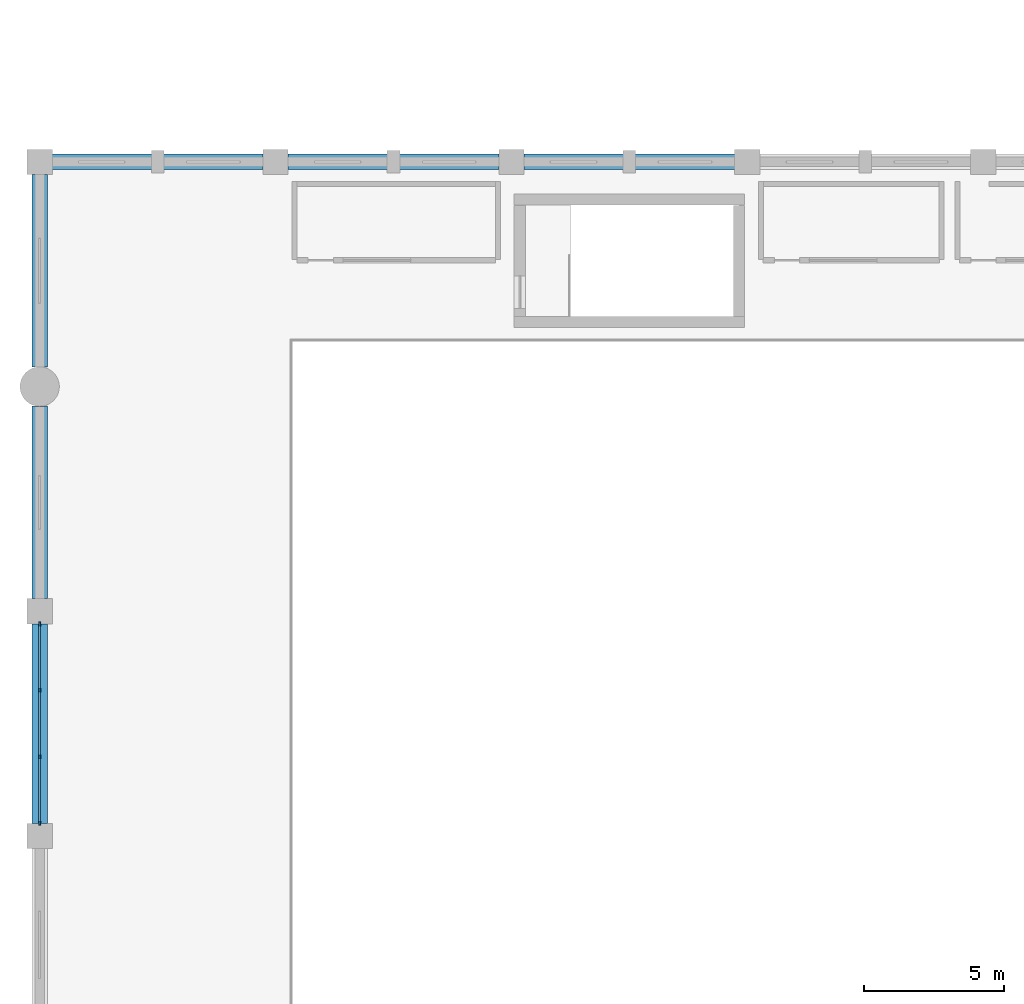
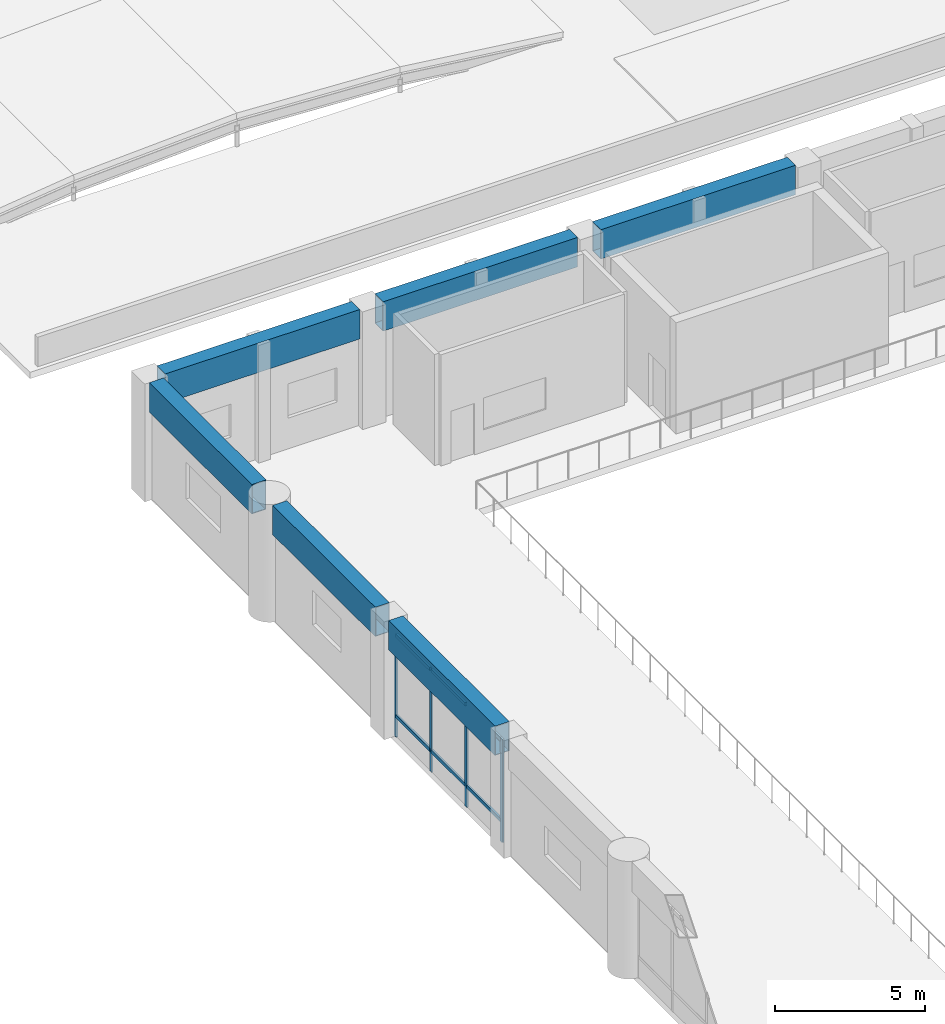
# One storey, part 14 of 76: 10 members, 6 beams, 1 element without a shape of its own.
"""IFC4 building model written with IfcOpenShell, lengths in metres."""

import ifcopenshell
import ifcopenshell.guid

model = None  # the IFC model being written
_history = None  # IfcOwnerHistory: only IFC2X3 demands one
_inside = {}  # id of a spatial element -> (the spatial element, [elements in it])
_under = {}  # id of a project, library or spatial element -> (it, [spatial elements below it])
_declared = {}  # id of a project -> (the project, [libraries it declares])
_typed = {}  # id of a type object -> (the type object, [elements of that type])
_made_of = {}  # id of a material, layer set ... -> (it, [elements and type objects made of it])


def new_model(schema):
    """Start an empty IFC model of exactly this schema.

    Asked for "IFC4X3", IfcOpenShell would pick the latest addendum, in which some entities
    have other attributes; the version numbers below select the first issue.
    IFC2X3 requires an IfcOwnerHistory on every rooted entity: one is made here for all.
    """
    global model, _history
    if schema == "IFC4X3":
        model = ifcopenshell.file(schema_version=(4, 3, 0, 0))
    else:
        model = ifcopenshell.file(schema=schema)
    _inside.clear()
    _under.clear()
    _declared.clear()
    _typed.clear()
    _made_of.clear()
    _history = None
    if model.schema == "IFC2X3":
        org = make("IfcOrganization", Name="unknown")
        user = make(
            "IfcPersonAndOrganization",
            ThePerson=make("IfcPerson", FamilyName="unknown"),
            TheOrganization=org,
        )
        app = make(
            "IfcApplication",
            ApplicationDeveloper=org,
            Version="unknown",
            ApplicationFullName="unknown",
            ApplicationIdentifier="unknown",
        )
        _history = make(
            "IfcOwnerHistory",
            OwningUser=user,
            OwningApplication=app,
            ChangeAction="ADDED",
            CreationDate=0,
        )
    return model


def make(cls, **values):
    """One entity of the class cls with the attributes given. An attribute that is None is left unset."""
    return model.create_entity(
        cls, **{name: value for name, value in values.items() if value is not None}
    )


def rooted(cls, **values):
    """An entity with a GlobalId (a new one), such as an element, a storey or a relation."""
    return make(cls, GlobalId=ifcopenshell.guid.new(), OwnerHistory=_history, **values)


def si_unit(unit_type, name, prefix=None):
    """IfcSIUnit, for example si_unit("LENGTHUNIT", "METRE", prefix="MILLI")."""
    return make("IfcSIUnit", UnitType=unit_type, Prefix=prefix, Name=name)


def assignment(units):
    """IfcUnitAssignment: the units of a project."""
    return None if units is None else make("IfcUnitAssignment", Units=units)


def point(xyz):
    """IfcCartesianPoint."""
    return None if xyz is None else make("IfcCartesianPoint", Coordinates=xyz)


def direction(xyz):
    """IfcDirection."""
    return None if xyz is None else make("IfcDirection", DirectionRatios=xyz)


def frame(location, z_axis=None, x_axis=None):
    """IfcAxis2Placement3D, a coordinate frame: its origin and axes. An axis left out is left unset."""
    return make(
        "IfcAxis2Placement3D",
        Location=point(location),
        Axis=direction(z_axis),
        RefDirection=direction(x_axis),
    )


def frame_2d(location, x_axis=None):
    """IfcAxis2Placement2D, a coordinate frame in the plane: its origin and x axis."""
    return make(
        "IfcAxis2Placement2D", Location=point(location), RefDirection=direction(x_axis)
    )


def origin():
    """The frame at (0, 0, 0) with its axes left unset."""
    return frame((0.0, 0.0, 0.0))


def origin_2d():
    """The frame at (0, 0) in the plane with its x axis left unset."""
    return frame_2d((0.0, 0.0))


def place(relative_to, where):
    """IfcLocalPlacement: puts the frame where relative to a parent placement (None: the world)."""
    return make(
        "IfcLocalPlacement", PlacementRelTo=relative_to, RelativePlacement=where
    )


def context(
    kind, dimensions, precision=None, world=None, true_north=None, identifier=None
):
    """IfcGeometricRepresentationContext, for example the 3D "Model" context."""
    return make(
        "IfcGeometricRepresentationContext",
        ContextIdentifier=identifier,
        ContextType=kind,
        CoordinateSpaceDimension=dimensions,
        Precision=precision,
        WorldCoordinateSystem=world,
        TrueNorth=true_north,
    )


def subcontext(parent, identifier, kind, view, scale=None):
    """IfcGeometricRepresentationSubContext, for example "Body" below "Model"."""
    return make(
        "IfcGeometricRepresentationSubContext",
        ContextIdentifier=identifier,
        ContextType=kind,
        ParentContext=parent,
        TargetScale=scale,
        TargetView=view,
    )


def project(units=None, contexts=None):
    """IfcProject with its units and contexts."""
    return rooted(
        "IfcProject",
        Name="project",
        RepresentationContexts=contexts,
        UnitsInContext=assignment(units),
    )


def spatial(cls, under=None, at=None, **own):
    """A site, building, storey or space (cls), placed at a placement, below another one or the project."""
    s = rooted(cls, ObjectPlacement=at, **own)
    if under is not None:
        _under.setdefault(under.id(), (under, []))[1].append(s)
    return s


def profile(cls, at=None, kind="AREA", **sizes):
    """A parametric profile (cls). Its sizes go by their IFC names, for example OverallWidth=200.0."""
    return make(cls, ProfileType=kind, Position=at, **sizes)


def rectangle(**sizes):
    """IfcRectangleProfileDef."""
    return profile("IfcRectangleProfileDef", **sizes)


def hollow_rectangle(**sizes):
    """IfcRectangleHollowProfileDef."""
    return profile("IfcRectangleHollowProfileDef", **sizes)


def extrude(swept, where, along, depth):
    """IfcExtrudedAreaSolid: the profile swept, set in the frame where, extruded along a direction by depth."""
    return make(
        "IfcExtrudedAreaSolid",
        SweptArea=swept,
        Position=where,
        ExtrudedDirection=direction(along),
        Depth=depth,
    )


def shape(context_of_items, identifier, shape_type, items):
    """IfcShapeRepresentation: the items that make up one representation, for example the "Body"."""
    return make(
        "IfcShapeRepresentation",
        ContextOfItems=context_of_items,
        RepresentationIdentifier=identifier,
        RepresentationType=shape_type,
        Items=items,
    )


def material(Name=None, Category=None):
    """IfcMaterial."""
    return make("IfcMaterial", Name=Name, Category=Category)


def layer(
    of_material, thickness, ventilated=None, Name=None, Category=None, Priority=None
):
    """IfcMaterialLayer: one layer of a wall or slab, of a material (None: an air gap)."""
    return make(
        "IfcMaterialLayer",
        Material=of_material,
        LayerThickness=thickness,
        IsVentilated=ventilated,
        Name=Name,
        Category=Category,
        Priority=Priority,
    )


def layer_set(layers, Name=None):
    """IfcMaterialLayerSet."""
    return make("IfcMaterialLayerSet", MaterialLayers=layers, LayerSetName=Name)


def material_profile(
    of_material, cross_section, Name=None, Category=None, Priority=None
):
    """IfcMaterialProfile: a cross section and its material."""
    return make(
        "IfcMaterialProfile",
        Name=Name,
        Material=of_material,
        Profile=cross_section,
        Priority=Priority,
        Category=Category,
    )


def profile_set(profiles, Name=None, composite=None):
    """IfcMaterialProfileSet."""
    return make(
        "IfcMaterialProfileSet",
        Name=Name,
        MaterialProfiles=profiles,
        CompositeProfile=composite,
    )


def made_of(thing, what):
    """Note that an element or type object is made of a material, layer set ...; save() writes the relation."""
    if what is not None:
        _made_of.setdefault(what.id(), (what, []))[1].append(thing)
    return thing


def type_object(cls, material=None, **own):
    """A type object (cls), such as IfcWallType, which elements share."""
    return made_of(rooted(cls, **own), material)


def element(
    cls,
    number,
    at=None,
    inside=None,
    cuts=None,
    type_object=None,
    material=None,
    context=None,
    identifier="Body",
    shape_type=None,
    held_by="IfcProductDefinitionShape",
    body=None,
    shapes=None,
    **own,
):
    """One element of the class cls, such as IfcWall. Its Tag is "e" and its number.

    at: its placement. inside: the storey or other place that contains it. cuts: it is an
    opening in that element (IfcRelVoidsElement). A single representation is given by context,
    identifier, shape_type and body (its items); several are given by shapes. held_by: the class
    of the entity that holds the representations. save() writes the other relations.
    """
    e = rooted(cls, Tag="e%d" % number, ObjectPlacement=at, **own)
    if body is not None:
        shapes = [shape(context, identifier, shape_type, body)]
    if shapes is not None:
        e.Representation = make(held_by, Representations=shapes)
    if inside is not None:
        _inside.setdefault(inside.id(), (inside, []))[1].append(e)
    if cuts is not None:
        rooted(
            "IfcRelVoidsElement", RelatingBuildingElement=cuts, RelatedOpeningElement=e
        )
    if type_object is not None:
        _typed.setdefault(type_object.id(), (type_object, []))[1].append(e)
    return made_of(e, material)


def aggregate(whole, parts):
    """IfcRelAggregates: a whole, such as a stair, and the parts it consists of."""
    return rooted("IfcRelAggregates", RelatingObject=whole, RelatedObjects=parts)


def save(model, path):
    """Write the relations noted so far, then the file.

    IfcRelAggregates (storeys below a building ...), IfcRelContainedInSpatialStructure (elements
    in a storey), IfcRelDefinesByType, IfcRelAssociatesMaterial and IfcRelDeclares: one each for
    every whole, place, type object, material and project.
    """
    for whole, parts in _under.values():
        aggregate(whole, parts)
    for where, things in _inside.values():
        rooted(
            "IfcRelContainedInSpatialStructure",
            RelatedElements=things,
            RelatingStructure=where,
        )
    for kind, things in _typed.values():
        rooted("IfcRelDefinesByType", RelatedObjects=things, RelatingType=kind)
    for what, things in _made_of.values():
        rooted("IfcRelAssociatesMaterial", RelatedObjects=things, RelatingMaterial=what)
    for by, libraries in _declared.values():
        rooted("IfcRelDeclares", RelatingContext=by, RelatedDefinitions=libraries)
    model.write(path)


model = new_model("IFC4")

# Units and contexts
model_context = context("Model", 3, precision=1e-05, world=origin(), true_north=direction((0.0, 1.0)))
body_context = subcontext(model_context, "Body", "Model", "MODEL_VIEW")
ifc_project = project(units=[si_unit("LENGTHUNIT", "METRE"), si_unit("AREAUNIT", "SQUARE_METRE"), si_unit("VOLUMEUNIT", "CUBIC_METRE"), si_unit("PLANEANGLEUNIT", "RADIAN"), si_unit("MASSUNIT", "GRAM", prefix="KILO")], contexts=[model_context])

# Site, building, storey
site_placement = place(None, origin())
site = spatial("IfcSite", under=ifc_project, at=site_placement, CompositionType="ELEMENT")
building_placement = place(site_placement, origin())
building = spatial("IfcBuilding", under=site, at=building_placement, Name="Naruveol Harbour Congress Hotel", CompositionType="ELEMENT")
storey_placement = place(building_placement, frame((0.0, 0.0, 11.39990234375)))
storey = spatial("IfcBuildingStorey", under=building, at=storey_placement, Name="L02", CompositionType="ELEMENT", Elevation=11.39990234375)

# Beams
ifc_material_1 = material(Name="Steel SN490", Category="steel")
ifc_material_profile_1 = material_profile(ifc_material_1, hollow_rectangle(XDim=0.550048828125, YDim=1.199951171875, WallThickness=0.028076171875, at=origin_2d()), Name="RHS-1200x550x28")
ifc_profile_set_1 = profile_set([ifc_material_profile_1], Name="Steel SN490")
beam_type = type_object("IfcBeamType", Name="STEEL RING BOX GIRDER 1200X550", PredefinedType="BEAM", material=ifc_profile_set_1)
for number, where, z_axis, x_axis, name in (
    (1, (0.446044921875, 56.0, 4.2001953125), (1.0, 0.0, 0.0), (0.0, 1.0, 0.0), "Congress ring girder RG1"),
    (2, (8.845947265625, 56.0, 4.2001953125), (1.0, 0.0, 0.0), (0.0, 1.0, 0.0), "Congress ring girder RG1"),
):
    element("IfcBeam", number, at=place(storey_placement, frame(where, z_axis=z_axis, x_axis=x_axis)), inside=storey, type_object=beam_type, Name=name, PredefinedType="BEAM", context=body_context, shape_type="SweptSolid", body=[
        extrude(hollow_rectangle(XDim=0.550048828125, YDim=1.199951171875, WallThickness=0.028076171875, at=origin_2d()), origin(), (0.0, 0.0, 1.0), 7.508056640625),
    ])
beam_1_placement = place(storey_placement, frame((17.24609375, 56.0, 4.2001953125), z_axis=(1.0, 0.0, 0.0), x_axis=(0.0, 1.0, 0.0)))
element("IfcBeam", 3, at=beam_1_placement, inside=storey, type_object=beam_type, Name="Congress ring girder RG1", PredefinedType="BEAM", context=body_context, shape_type="SweptSolid", body=[
    extrude(hollow_rectangle(XDim=0.550048828125, YDim=1.199951171875, WallThickness=0.028076171875, at=origin_2d()), origin(), (0.0, 0.0, 1.0), 7.5078125),
])
beam_2_placement = place(storey_placement, frame((0.0, 32.446044921875, 4.2001953125), z_axis=(0.0, 1.0, 0.0), x_axis=(-1.0, 0.0, 0.0)))
element("IfcBeam", 4, at=beam_2_placement, inside=storey, type_object=beam_type, Name="Congress ring girder RG1", PredefinedType="BEAM", context=body_context, shape_type="SweptSolid", body=[
    extrude(hollow_rectangle(XDim=0.550048828125, YDim=1.199951171875, WallThickness=0.028076171875, at=origin_2d()), origin(), (0.0, 0.0, 1.0), 7.10791015625),
])
for number, where, z_axis, x_axis, name in (
    (5, (0.0, 40.446044921875, 4.2001953125), (0.0, 1.0, 0.0), (-1.0, 0.0, 0.0), "Congress ring girder RG1"),
    (6, (0.0, 48.696044921875, 4.2001953125), (0.0, 1.0, 0.0), (-1.0, 0.0, 0.0), "Congress ring girder RG1"),
):
    element("IfcBeam", number, at=place(storey_placement, frame(where, z_axis=z_axis, x_axis=x_axis)), inside=storey, type_object=beam_type, Name=name, PredefinedType="BEAM", context=body_context, shape_type="SweptSolid", body=[
        extrude(hollow_rectangle(XDim=0.550048828125, YDim=1.199951171875, WallThickness=0.028076171875, at=origin_2d()), origin(), (0.0, 0.0, 1.0), 6.85791015625),
    ])

# Curtain wall, members
ifc_material_2 = material(Name="Low-E Curtain Wall System", Category="glass")
ifc_layer = layer(ifc_material_2, 0.179931640625)
ifc_layer_set = layer_set([ifc_layer], Name="Low-E Curtain Wall System")
curtain_wall_type = type_object("IfcCurtainWallType", Name="UNITISED CURTAIN WALL CW-V1W-05 7100X4220", PredefinedType="USERDEFINED", material=ifc_layer_set)
curtain_wall_placement = place(storey_placement, origin())
curtain_wall = element("IfcCurtainWall", 7, at=curtain_wall_placement, inside=storey, type_object=curtain_wall_type, Name="Unitised curtain wall CW-V1W-05 L02", ObjectType="UNITISED GLAZING", PredefinedType="USERDEFINED")
ifc_material_3 = material(Name="Anodised Aluminium 6063-T6", Category="aluminium")
ifc_material_profile_2 = material_profile(ifc_material_3, rectangle(XDim=0.06494140625, YDim=0.14990234375, at=origin_2d()), Name="ALU-65x150")
ifc_profile_set_2 = profile_set([ifc_material_profile_2], Name="Anodised Aluminium 6063-T6")
member_type_1 = type_object("IfcMemberType", Name="THERMAL ALUMINIUM MULLION 65X150", PredefinedType="MULLION", material=ifc_profile_set_2)
member_1_placement = place(storey_placement, frame((0.0, 32.449951171875, 0.0), z_axis=(0.0, 0.0, 1.0), x_axis=(1.0, 0.0, 0.0)))
member_1 = element("IfcMember", 8, at=member_1_placement, type_object=member_type_1, Name="Curtain wall mullion CW-L02-0005-M0", PredefinedType="MULLION", context=body_context, shape_type="SweptSolid", body=[
    extrude(rectangle(XDim=0.06494140625, YDim=0.14990234375, at=origin_2d()), origin(), (0.0, 0.0, 1.0), 4.22021484375),
])
member_2_placement = place(storey_placement, frame((0.0, 34.816650390625, 0.0), z_axis=(0.0, 0.0, 1.0), x_axis=(1.0, 0.0, 0.0)))
member_2 = element("IfcMember", 9, at=member_2_placement, type_object=member_type_1, Name="Curtain wall mullion CW-L02-0005-M1", PredefinedType="MULLION", context=body_context, shape_type="SweptSolid", body=[
    extrude(rectangle(XDim=0.06494140625, YDim=0.14990234375, at=origin_2d()), origin(), (0.0, 0.0, 1.0), 4.22021484375),
])
member_3_placement = place(storey_placement, frame((0.0, 37.183349609375, 0.0), z_axis=(0.0, 0.0, 1.0), x_axis=(1.0, 0.0, 0.0)))
member_3 = element("IfcMember", 10, at=member_3_placement, type_object=member_type_1, Name="Curtain wall mullion CW-L02-0005-M2", PredefinedType="MULLION", context=body_context, shape_type="SweptSolid", body=[
    extrude(rectangle(XDim=0.06494140625, YDim=0.14990234375, at=origin_2d()), origin(), (0.0, 0.0, 1.0), 4.22021484375),
])
member_4_placement = place(storey_placement, frame((0.0, 39.550048828125, 0.0), z_axis=(0.0, 0.0, 1.0), x_axis=(1.0, 0.0, 0.0)))
member_4 = element("IfcMember", 11, at=member_4_placement, type_object=member_type_1, Name="Curtain wall mullion CW-L02-0005-M3", PredefinedType="MULLION", context=body_context, shape_type="SweptSolid", body=[
    extrude(rectangle(XDim=0.06494140625, YDim=0.14990234375, at=origin_2d()), origin(), (0.0, 0.0, 1.0), 4.22021484375),
])
ifc_material_4 = material(Name="Anodised Aluminium 6063-T6", Category="aluminium")
ifc_material_profile_3 = material_profile(ifc_material_4, rectangle(XDim=0.074951171875, YDim=0.14990234375, at=origin_2d()), Name="ALU-75x150")
ifc_profile_set_3 = profile_set([ifc_material_profile_3], Name="Anodised Aluminium 6063-T6")
member_type_2 = type_object("IfcMemberType", Name="THERMAL ALUMINIUM TRANSOM 75X150", PredefinedType="USERDEFINED", material=ifc_profile_set_3)
member_5_placement = place(storey_placement, frame((0.0, 32.489990234375, 0.85009765625), z_axis=(0.0, 1.0, 0.0), x_axis=(-1.0, 0.0, 0.0)))
member_5 = element("IfcMember", 12, at=member_5_placement, type_object=member_type_2, Name="Curtain wall transom CW-L02-0005-T0.1", ObjectType="TRANSOM", PredefinedType="USERDEFINED", context=body_context, shape_type="SweptSolid", body=[
    extrude(rectangle(XDim=0.074951171875, YDim=0.14990234375, at=origin_2d()), origin(), (0.0, 0.0, 1.0), 2.28662109375),
])
member_6_placement = place(storey_placement, frame((0.0, 32.489990234375, 4.14013671875), z_axis=(0.0, 1.0, 0.0), x_axis=(-1.0, 0.0, 0.0)))
member_6 = element("IfcMember", 13, at=member_6_placement, type_object=member_type_2, Name="Curtain wall transom CW-L02-0005-T0.2", ObjectType="TRANSOM", PredefinedType="USERDEFINED", context=body_context, shape_type="SweptSolid", body=[
    extrude(rectangle(XDim=0.074951171875, YDim=0.14990234375, at=origin_2d()), origin(), (0.0, 0.0, 1.0), 2.28662109375),
])
member_7_placement = place(storey_placement, frame((0.0, 34.856689453125, 0.85009765625), z_axis=(0.0, 1.0, 0.0), x_axis=(-1.0, 0.0, 0.0)))
member_7 = element("IfcMember", 14, at=member_7_placement, type_object=member_type_2, Name="Curtain wall transom CW-L02-0005-T1.1", ObjectType="TRANSOM", PredefinedType="USERDEFINED", context=body_context, shape_type="SweptSolid", body=[
    extrude(rectangle(XDim=0.074951171875, YDim=0.14990234375, at=origin_2d()), origin(), (0.0, 0.0, 1.0), 2.28662109375),
])
member_8_placement = place(storey_placement, frame((0.0, 34.856689453125, 4.14013671875), z_axis=(0.0, 1.0, 0.0), x_axis=(-1.0, 0.0, 0.0)))
member_8 = element("IfcMember", 15, at=member_8_placement, type_object=member_type_2, Name="Curtain wall transom CW-L02-0005-T1.2", ObjectType="TRANSOM", PredefinedType="USERDEFINED", context=body_context, shape_type="SweptSolid", body=[
    extrude(rectangle(XDim=0.074951171875, YDim=0.14990234375, at=origin_2d()), origin(), (0.0, 0.0, 1.0), 2.28662109375),
])
member_9_placement = place(storey_placement, frame((0.0, 37.223388671875, 0.85009765625), z_axis=(0.0, 1.0, 0.0), x_axis=(-1.0, 0.0, 0.0)))
member_9 = element("IfcMember", 16, at=member_9_placement, type_object=member_type_2, Name="Curtain wall transom CW-L02-0005-T2.1", ObjectType="TRANSOM", PredefinedType="USERDEFINED", context=body_context, shape_type="SweptSolid", body=[
    extrude(rectangle(XDim=0.074951171875, YDim=0.14990234375, at=origin_2d()), origin(), (0.0, 0.0, 1.0), 2.28662109375),
])
member_10_placement = place(storey_placement, frame((0.0, 37.223388671875, 4.14013671875), z_axis=(0.0, 1.0, 0.0), x_axis=(-1.0, 0.0, 0.0)))
member_10 = element("IfcMember", 17, at=member_10_placement, type_object=member_type_2, Name="Curtain wall transom CW-L02-0005-T2.2", ObjectType="TRANSOM", PredefinedType="USERDEFINED", context=body_context, shape_type="SweptSolid", body=[
    extrude(rectangle(XDim=0.074951171875, YDim=0.14990234375, at=origin_2d()), origin(), (0.0, 0.0, 1.0), 2.28662109375),
])
aggregate(curtain_wall, [member_1, member_2, member_3, member_4, member_5, member_6, member_7, member_8, member_9, member_10])

save(model, "model.ifc")
